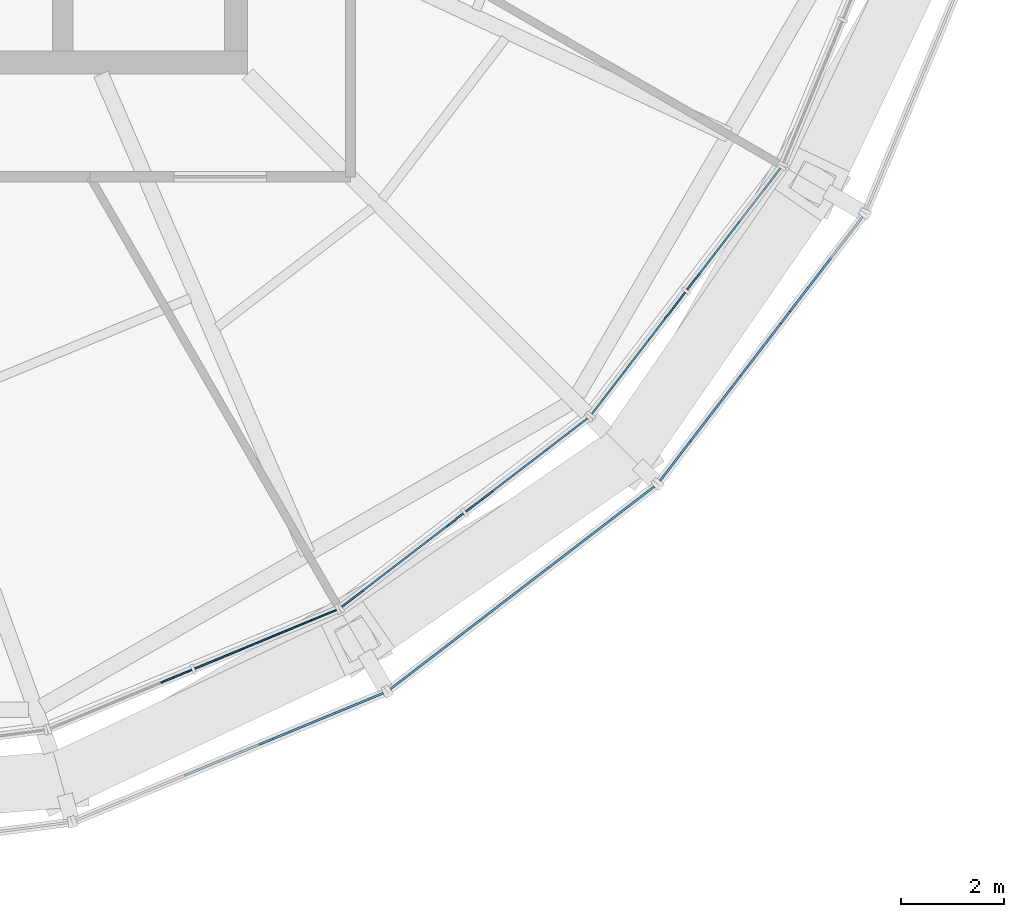
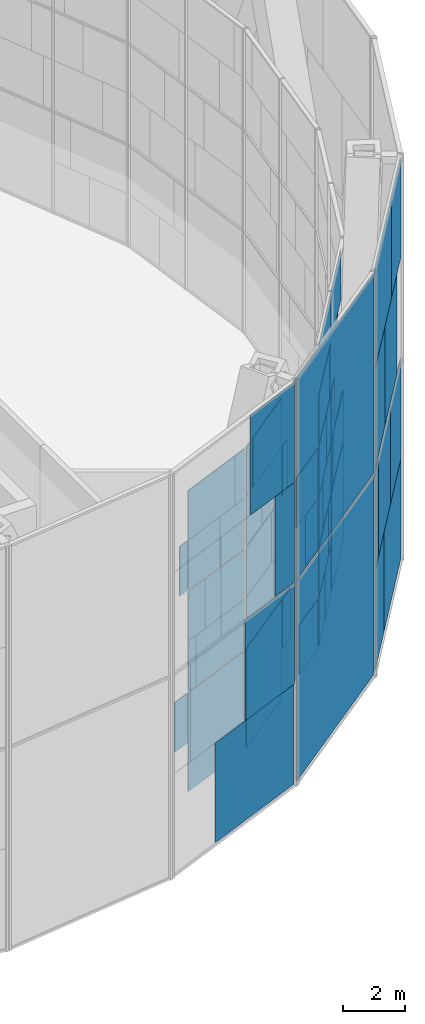
# One storey, part 16 of 26: 63 plates, 6 elements without a shape of their own.
"""IFC4 building model written with IfcOpenShell, lengths in metres."""

from ifc_helpers import new_model, si_unit, direction, frame, origin, origin_2d, place, context, subcontext, project, spatial, rectangle, extrude, material, layer, layer_set, type_object, element, aggregate, save


model = new_model("IFC4")

# Units and contexts
model_context = context("Model", 3, precision=1e-05, world=origin(), true_north=direction((0.0, 1.0)))
body_context = subcontext(model_context, "Body", "Model", "MODEL_VIEW")
ifc_project = project(units=[si_unit("LENGTHUNIT", "METRE"), si_unit("AREAUNIT", "SQUARE_METRE"), si_unit("VOLUMEUNIT", "CUBIC_METRE"), si_unit("PLANEANGLEUNIT", "RADIAN"), si_unit("MASSUNIT", "GRAM", prefix="KILO")], contexts=[model_context])

# Site, building, storey
site_placement = place(None, origin())
site = spatial("IfcSite", under=ifc_project, at=site_placement, CompositionType="ELEMENT")
building_placement = place(site_placement, origin())
building = spatial("IfcBuilding", under=site, at=building_placement, Name="Golbaran Civic Tower", CompositionType="ELEMENT")
storey_placement = place(building_placement, frame((0.0, 0.0, 199.0)))
storey = spatial("IfcBuildingStorey", under=building, at=storey_placement, Name="L48", CompositionType="ELEMENT", Elevation=199.0)

# Curtain wall, plates
ifc_material_1 = material(Name="Aluminium and glass", Category="aluminium")
curtain_wall_type_1 = type_object("IfcCurtainWallType", Name="INNER SKIN CURTAIN WALL EXECUTIVE", PredefinedType="NOTDEFINED", material=ifc_material_1)
curtain_wall_1_placement = place(storey_placement, origin())
curtain_wall_1 = element("IfcCurtainWall", 1, at=curtain_wall_1_placement, inside=storey, type_object=curtain_wall_type_1, Name="Inner skin L48 facet 20 CW2", ObjectType="INNER SKIN", PredefinedType="USERDEFINED")
ifc_material_2 = material(Name="Clear insulating glass", Category="glass")
ifc_layer_1 = layer(ifc_material_2, 0.031982421875, Name="Clear insulating glass")
ifc_layer_set_1 = layer_set([ifc_layer_1], Name="Clear insulating glass")
plate_type_1 = type_object("IfcPlateType", Name="INNER SKIN CURTAIN WALL EXECUTIVE GLAZED PANEL", PredefinedType="CURTAIN_PANEL", material=ifc_layer_set_1)
plate_1_placement = place(storey_placement, frame((8.611572265625, -21.723388671875, 2.014892578125), z_axis=(0.0, 0.0, 1.0), x_axis=(0.923879532518, 0.382683432349, 0.0)))
plate_1 = element("IfcPlate", 2, at=plate_1_placement, type_object=plate_type_1, Name="CW2 panel 1.1 part 4", PredefinedType="CURTAIN_PANEL", context=body_context, shape_type="SweptSolid", body=[
    extrude(rectangle(XDim=0.654052734375, YDim=0.031982421875, at=origin_2d()), origin(), (0.0, 0.0, 1.0), 1.955078125),
])
plate_2_placement = place(storey_placement, frame((10.3486328125, -21.00390625, 0.06005859375), z_axis=(0.0, 0.0, 1.0), x_axis=(0.923879532518, 0.382683432349, 0.0)))
plate_2 = element("IfcPlate", 3, at=plate_2_placement, type_object=plate_type_1, Name="CW2 panel 2.1", PredefinedType="CURTAIN_PANEL", context=body_context, shape_type="SweptSolid", body=[
    extrude(rectangle(XDim=2.986083984375, YDim=0.031982421875, at=origin_2d()), origin(), (0.0, 0.0, 1.0), 3.909912109375),
])
plate_3_placement = place(storey_placement, frame((10.533447265625, -20.927490234375, 4.02978515625), z_axis=(0.0, 0.0, 1.0), x_axis=(0.923879532518, 0.382683432349, 0.0)))
plate_3 = element("IfcPlate", 4, at=plate_3_placement, type_object=plate_type_1, Name="CW2 panel 2.2 part 2", PredefinedType="CURTAIN_PANEL", context=body_context, shape_type="SweptSolid", body=[
    extrude(rectangle(XDim=2.586181640625, YDim=0.031982421875, at=origin_2d()), origin(), (0.0, 0.0, 1.0), 1.969970703125),
])
plate_4_placement = place(storey_placement, frame((10.754638671875, -20.835693359375, 6.0), z_axis=(0.0, 0.0, 1.0), x_axis=(0.923879532518, 0.382683432349, 0.0)))
plate_4 = element("IfcPlate", 5, at=plate_4_placement, type_object=plate_type_1, Name="CW2 panel 2.2 part 4", PredefinedType="CURTAIN_PANEL", context=body_context, shape_type="SweptSolid", body=[
    extrude(rectangle(XDim=2.107177734375, YDim=0.031982421875, at=origin_2d()), origin(), (0.0, 0.0, 1.0), 1.969970703125),
])
plate_5_placement = place(storey_placement, frame((11.125732421875, -20.68212890625, 8.030029296875), z_axis=(0.0, 0.0, 1.0), x_axis=(0.923879532518, 0.382683432349, 0.0)))
plate_5 = element("IfcPlate", 6, at=plate_5_placement, type_object=plate_type_1, Name="CW2 panel 2.3 part 2", PredefinedType="CURTAIN_PANEL", context=body_context, shape_type="SweptSolid", body=[
    extrude(rectangle(XDim=1.30419921875, YDim=0.031982421875, at=origin_2d()), origin(), (0.0, 0.0, 1.0), 1.955078125),
])
plate_6_placement = place(storey_placement, frame((11.485595703125, -20.532958984375, 9.98486328125), z_axis=(0.0, 0.0, 1.0), x_axis=(0.923879532518, 0.382683432349, 0.0)))
plate_6 = element("IfcPlate", 7, at=plate_6_placement, type_object=plate_type_1, Name="CW2 panel 2.3 part 4", PredefinedType="CURTAIN_PANEL", context=body_context, shape_type="SweptSolid", body=[
    extrude(rectangle(XDim=0.525146484375, YDim=0.031982421875, at=origin_2d()), origin(), (0.0, 0.0, 1.0), 1.955078125),
])

curtain_wall_2_placement = place(storey_placement, origin())
curtain_wall_2 = element("IfcCurtainWall", 8, at=curtain_wall_2_placement, inside=storey, type_object=curtain_wall_type_1, Name="Inner skin L48 facet 21 CW2", ObjectType="INNER SKIN", PredefinedType="USERDEFINED")
plate_7_placement = place(storey_placement, frame((13.015625, -19.464111328125, 0.06005859375), z_axis=(0.0, 0.0, 1.0), x_axis=(0.793353340259, 0.60876142905, 0.0)))
plate_7 = element("IfcPlate", 9, at=plate_7_placement, type_object=plate_type_1, Name="CW2 panel 1.1", PredefinedType="CURTAIN_PANEL", context=body_context, shape_type="SweptSolid", body=[
    extrude(rectangle(XDim=2.986083984375, YDim=0.031982421875, at=origin_2d()), origin(), (0.0, 0.0, 1.0), 3.909912109375),
])
plate_8_placement = place(storey_placement, frame((12.8564453125, -19.586181640625, 4.02978515625), z_axis=(0.0, 0.0, 1.0), x_axis=(0.793353340259, 0.60876142905, 0.0)))
plate_8 = element("IfcPlate", 10, at=plate_8_placement, type_object=plate_type_1, Name="CW2 panel 1.2 part 1", PredefinedType="CURTAIN_PANEL", context=body_context, shape_type="SweptSolid", body=[
    extrude(rectangle(XDim=2.5849609375, YDim=0.031982421875, at=origin_2d()), origin(), (0.0, 0.0, 1.0), 1.969970703125),
])
plate_9_placement = place(storey_placement, frame((12.6669921875, -19.731689453125, 6.0), z_axis=(0.0, 0.0, 1.0), x_axis=(0.793353340259, 0.60876142905, 0.0)))
plate_9 = element("IfcPlate", 11, at=plate_9_placement, type_object=plate_type_1, Name="CW2 panel 1.2 part 3", PredefinedType="CURTAIN_PANEL", context=body_context, shape_type="SweptSolid", body=[
    extrude(rectangle(XDim=2.10693359375, YDim=0.031982421875, at=origin_2d()), origin(), (0.0, 0.0, 1.0), 1.969970703125),
])
plate_10_placement = place(storey_placement, frame((12.348388671875, -19.97607421875, 8.030029296875), z_axis=(0.0, 0.0, 1.0), x_axis=(0.793353340259, 0.60876142905, 0.0)))
plate_10 = element("IfcPlate", 12, at=plate_10_placement, type_object=plate_type_1, Name="CW2 panel 1.3 part 1", PredefinedType="CURTAIN_PANEL", context=body_context, shape_type="SweptSolid", body=[
    extrude(rectangle(XDim=1.303955078125, YDim=0.031982421875, at=origin_2d()), origin(), (0.0, 0.0, 1.0), 1.955078125),
])
plate_11_placement = place(storey_placement, frame((12.039306640625, -20.21337890625, 9.98486328125), z_axis=(0.0, 0.0, 1.0), x_axis=(0.793353340259, 0.60876142905, 0.0)))
plate_11 = element("IfcPlate", 13, at=plate_11_placement, type_object=plate_type_1, Name="CW2 panel 1.3 part 3", PredefinedType="CURTAIN_PANEL", context=body_context, shape_type="SweptSolid", body=[
    extrude(rectangle(XDim=0.52490234375, YDim=0.031982421875, at=origin_2d()), origin(), (0.0, 0.0, 1.0), 1.955078125),
])
plate_12_placement = place(storey_placement, frame((14.816162109375, -18.08251953125, 0.06005859375), z_axis=(0.0, 0.0, 1.0), x_axis=(0.793353340259, 0.60876142905, 0.0)))
plate_12 = element("IfcPlate", 14, at=plate_12_placement, type_object=plate_type_1, Name="CW2 panel 2.1 part 1", PredefinedType="CURTAIN_PANEL", context=body_context, shape_type="SweptSolid", body=[
    extrude(rectangle(XDim=1.43310546875, YDim=0.031982421875, at=origin_2d()), origin(), (0.0, 0.0, 1.0), 1.955078125),
])
plate_13_placement = place(storey_placement, frame((14.507080078125, -18.319580078125, 2.014892578125), z_axis=(0.0, 0.0, 1.0), x_axis=(0.793353340259, 0.60876142905, 0.0)))
plate_13 = element("IfcPlate", 15, at=plate_13_placement, type_object=plate_type_1, Name="CW2 panel 2.1 part 3", PredefinedType="CURTAIN_PANEL", context=body_context, shape_type="SweptSolid", body=[
    extrude(rectangle(XDim=0.654052734375, YDim=0.031982421875, at=origin_2d()), origin(), (0.0, 0.0, 1.0), 1.955078125),
])
plate_14_placement = place(storey_placement, frame((16.205322265625, -17.0166015625, 4.02978515625), z_axis=(0.0, 0.0, 1.0), x_axis=(0.793353340259, 0.60876142905, 0.0)))
plate_14 = element("IfcPlate", 16, at=plate_14_placement, type_object=plate_type_1, Name="CW2 panel 2.2 part 2", PredefinedType="CURTAIN_PANEL", context=body_context, shape_type="SweptSolid", body=[
    extrude(rectangle(XDim=1.037109375, YDim=0.031982421875, at=origin_2d()), origin(), (0.0, 0.0, 1.0), 1.969970703125),
])
plate_15_placement = place(storey_placement, frame((15.89404296875, -17.255615234375, 6.0), z_axis=(0.0, 0.0, 1.0), x_axis=(0.793353340259, 0.60876142905, 0.0)))
plate_15 = element("IfcPlate", 17, at=plate_15_placement, type_object=plate_type_1, Name="CW2 panel 2.2 part 4", PredefinedType="CURTAIN_PANEL", context=body_context, shape_type="SweptSolid", body=[
    extrude(rectangle(XDim=1.822021484375, YDim=0.031982421875, at=origin_2d()), origin(), (0.0, 0.0, 1.0), 1.969970703125),
])
plate_16_placement = place(storey_placement, frame((15.5908203125, -17.488037109375, 8.030029296875), z_axis=(0.0, 0.0, 1.0), x_axis=(0.793353340259, 0.60876142905, 0.0)))
plate_16 = element("IfcPlate", 18, at=plate_16_placement, type_object=plate_type_1, Name="CW2 panel 2.3 part 2", PredefinedType="CURTAIN_PANEL", context=body_context, shape_type="SweptSolid", body=[
    extrude(rectangle(XDim=2.586181640625, YDim=0.031982421875, at=origin_2d()), origin(), (0.0, 0.0, 1.0), 1.955078125),
])
plate_17_placement = place(storey_placement, frame((15.432373046875, -17.60986328125, 9.98486328125), z_axis=(0.0, 0.0, 1.0), x_axis=(0.793353340259, 0.60876142905, 0.0)))
plate_17 = element("IfcPlate", 19, at=plate_17_placement, type_object=plate_type_1, Name="CW2 panel 2.3 part 3", PredefinedType="CURTAIN_PANEL", context=body_context, shape_type="SweptSolid", body=[
    extrude(rectangle(XDim=2.986083984375, YDim=0.031982421875, at=origin_2d()), origin(), (0.0, 0.0, 1.0), 1.955078125),
])

curtain_wall_3_placement = place(storey_placement, origin())
curtain_wall_3 = element("IfcCurtainWall", 20, at=curtain_wall_3_placement, inside=storey, type_object=curtain_wall_type_1, Name="Inner skin L48 facet 22 CW2", ObjectType="INNER SKIN", PredefinedType="USERDEFINED")
plate_18_placement = place(storey_placement, frame((18.08251953125, -14.816162109375, 0.06005859375), z_axis=(0.0, 0.0, 1.0), x_axis=(0.60876142905, 0.793353340259, 0.0)))
plate_18 = element("IfcPlate", 21, at=plate_18_placement, type_object=plate_type_1, Name="CW2 panel 1.1 part 2", PredefinedType="CURTAIN_PANEL", context=body_context, shape_type="SweptSolid", body=[
    extrude(rectangle(XDim=1.43310546875, YDim=0.031982421875, at=origin_2d()), origin(), (0.0, 0.0, 1.0), 1.955078125),
])
plate_19_placement = place(storey_placement, frame((18.319580078125, -14.50732421875, 2.014892578125), z_axis=(0.0, 0.0, 1.0), x_axis=(0.60876142905, 0.793353340259, 0.0)))
plate_19 = element("IfcPlate", 22, at=plate_19_placement, type_object=plate_type_1, Name="CW2 panel 1.1 part 4", PredefinedType="CURTAIN_PANEL", context=body_context, shape_type="SweptSolid", body=[
    extrude(rectangle(XDim=0.654052734375, YDim=0.031982421875, at=origin_2d()), origin(), (0.0, 0.0, 1.0), 1.955078125),
])
plate_20_placement = place(storey_placement, frame((17.0166015625, -16.205322265625, 4.02978515625), z_axis=(0.0, 0.0, 1.0), x_axis=(0.60876142905, 0.793353340259, 0.0)))
plate_20 = element("IfcPlate", 23, at=plate_20_placement, type_object=plate_type_1, Name="CW2 panel 1.2 part 1", PredefinedType="CURTAIN_PANEL", context=body_context, shape_type="SweptSolid", body=[
    extrude(rectangle(XDim=1.037109375, YDim=0.031982421875, at=origin_2d()), origin(), (0.0, 0.0, 1.0), 1.969970703125),
])
plate_21_placement = place(storey_placement, frame((17.25537109375, -15.89404296875, 6.0), z_axis=(0.0, 0.0, 1.0), x_axis=(0.60876142905, 0.793353340259, 0.0)))
plate_21 = element("IfcPlate", 24, at=plate_21_placement, type_object=plate_type_1, Name="CW2 panel 1.2 part 3", PredefinedType="CURTAIN_PANEL", context=body_context, shape_type="SweptSolid", body=[
    extrude(rectangle(XDim=1.822021484375, YDim=0.031982421875, at=origin_2d()), origin(), (0.0, 0.0, 1.0), 1.969970703125),
])
plate_22_placement = place(storey_placement, frame((17.48779296875, -15.59130859375, 8.030029296875), z_axis=(0.0, 0.0, 1.0), x_axis=(0.60876142905, 0.793353340259, 0.0)))
plate_22 = element("IfcPlate", 25, at=plate_22_placement, type_object=plate_type_1, Name="CW2 panel 1.3 part 1", PredefinedType="CURTAIN_PANEL", context=body_context, shape_type="SweptSolid", body=[
    extrude(rectangle(XDim=2.5849609375, YDim=0.031982421875, at=origin_2d()), origin(), (0.0, 0.0, 1.0), 1.955078125),
])
plate_23_placement = place(storey_placement, frame((17.60986328125, -15.432373046875, 9.98486328125), z_axis=(0.0, 0.0, 1.0), x_axis=(0.60876142905, 0.793353340259, 0.0)))
plate_23 = element("IfcPlate", 26, at=plate_23_placement, type_object=plate_type_1, Name="CW2 panel 1.3 part 3", PredefinedType="CURTAIN_PANEL", context=body_context, shape_type="SweptSolid", body=[
    extrude(rectangle(XDim=2.986083984375, YDim=0.031982421875, at=origin_2d()), origin(), (0.0, 0.0, 1.0), 1.955078125),
])
plate_24_placement = place(storey_placement, frame((19.464111328125, -13.015625, 0.06005859375), z_axis=(0.0, 0.0, 1.0), x_axis=(0.60876142905, 0.793353340259, 0.0)))
plate_24 = element("IfcPlate", 27, at=plate_24_placement, type_object=plate_type_1, Name="CW2 panel 2.1", PredefinedType="CURTAIN_PANEL", context=body_context, shape_type="SweptSolid", body=[
    extrude(rectangle(XDim=2.986083984375, YDim=0.031982421875, at=origin_2d()), origin(), (0.0, 0.0, 1.0), 3.909912109375),
])
plate_25_placement = place(storey_placement, frame((19.5859375, -12.85693359375, 4.02978515625), z_axis=(0.0, 0.0, 1.0), x_axis=(0.60876142905, 0.793353340259, 0.0)))
plate_25 = element("IfcPlate", 28, at=plate_25_placement, type_object=plate_type_1, Name="CW2 panel 2.2 part 2", PredefinedType="CURTAIN_PANEL", context=body_context, shape_type="SweptSolid", body=[
    extrude(rectangle(XDim=2.586181640625, YDim=0.031982421875, at=origin_2d()), origin(), (0.0, 0.0, 1.0), 1.969970703125),
])

# Plate
ifc_material_3 = material(Name="Aluminium faced opaque infill panel", Category="aluminium")
ifc_layer_2 = layer(ifc_material_3, 0.031982421875, Name="Aluminium faced opaque infill panel")
ifc_layer_set_2 = layer_set([ifc_layer_2], Name="Aluminium faced opaque infill panel")
plate_type_2 = type_object("IfcPlateType", Name="INNER SKIN CURTAIN WALL EXECUTIVE OPAQUE INFILL PANEL", PredefinedType="CURTAIN_PANEL", material=ifc_layer_set_2)
plate_26_placement = place(storey_placement, frame((8.728515625, -21.675048828125, 8.030029296875), z_axis=(0.0, 0.0, 1.0), x_axis=(0.923879532518, 0.382683432349, 0.0)))
plate_26 = element("IfcPlate", 29, at=plate_26_placement, type_object=plate_type_2, Name="CW2 infill panel 1.3 part 2", PredefinedType="CURTAIN_PANEL", context=body_context, shape_type="SweptSolid", body=[
    extrude(rectangle(XDim=0.401123046875, YDim=0.031982421875, at=origin_2d()), origin(), (0.0, 0.0, 1.0), 1.955078125),
])

plate_27_placement = place(storey_placement, frame((9.154052734375, -21.498779296875, 4.02978515625), z_axis=(0.0, 0.0, 1.0), x_axis=(0.923879532518, 0.382683432349, 0.0)))
plate_27 = element("IfcPlate", 30, at=plate_27_placement, type_object=plate_type_2, Name="CW2 infill panel 2.2 part 1", PredefinedType="CURTAIN_PANEL", context=body_context, shape_type="SweptSolid", body=[
    extrude(rectangle(XDim=0.39990234375, YDim=0.031982421875, at=origin_2d()), origin(), (0.0, 0.0, 1.0), 1.969970703125),
])

plate_28_placement = place(storey_placement, frame((9.375244140625, -21.4072265625, 6.0), z_axis=(0.0, 0.0, 1.0), x_axis=(0.923879532518, 0.382683432349, 0.0)))
plate_28 = element("IfcPlate", 31, at=plate_28_placement, type_object=plate_type_2, Name="CW2 infill panel 2.2 part 3", PredefinedType="CURTAIN_PANEL", context=body_context, shape_type="SweptSolid", body=[
    extrude(rectangle(XDim=0.87890625, YDim=0.031982421875, at=origin_2d()), origin(), (0.0, 0.0, 1.0), 1.969970703125),
])

plate_29_placement = place(storey_placement, frame((9.746337890625, -21.25341796875, 8.030029296875), z_axis=(0.0, 0.0, 1.0), x_axis=(0.923879532518, 0.382683432349, 0.0)))
plate_29 = element("IfcPlate", 32, at=plate_29_placement, type_object=plate_type_2, Name="CW2 infill panel 2.3 part 1", PredefinedType="CURTAIN_PANEL", context=body_context, shape_type="SweptSolid", body=[
    extrude(rectangle(XDim=1.681884765625, YDim=0.031982421875, at=origin_2d()), origin(), (0.0, 0.0, 1.0), 1.955078125),
])

plate_30_placement = place(storey_placement, frame((10.106201171875, -21.1044921875, 9.98486328125), z_axis=(0.0, 0.0, 1.0), x_axis=(0.923879532518, 0.382683432349, 0.0)))
plate_30 = element("IfcPlate", 33, at=plate_30_placement, type_object=plate_type_2, Name="CW2 infill panel 2.3 part 3", PredefinedType="CURTAIN_PANEL", context=body_context, shape_type="SweptSolid", body=[
    extrude(rectangle(XDim=2.4609375, YDim=0.031982421875, at=origin_2d()), origin(), (0.0, 0.0, 1.0), 1.955078125),
])

aggregate(curtain_wall_1, [plate_1, plate_26, plate_2, plate_27, plate_3, plate_28, plate_4, plate_29, plate_5, plate_30, plate_6])

plate_31_placement = place(storey_placement, frame((14.041015625, -18.67724609375, 4.02978515625), z_axis=(0.0, 0.0, 1.0), x_axis=(0.793353340259, 0.60876142905, 0.0)))
plate_31 = element("IfcPlate", 34, at=plate_31_placement, type_object=plate_type_2, Name="CW2 infill panel 1.2 part 2", PredefinedType="CURTAIN_PANEL", context=body_context, shape_type="SweptSolid", body=[
    extrude(rectangle(XDim=0.401123046875, YDim=0.031982421875, at=origin_2d()), origin(), (0.0, 0.0, 1.0), 1.969970703125),
])

plate_32_placement = place(storey_placement, frame((13.851318359375, -18.82275390625, 6.0), z_axis=(0.0, 0.0, 1.0), x_axis=(0.793353340259, 0.60876142905, 0.0)))
plate_32 = element("IfcPlate", 35, at=plate_32_placement, type_object=plate_type_2, Name="CW2 infill panel 1.2 part 4", PredefinedType="CURTAIN_PANEL", context=body_context, shape_type="SweptSolid", body=[
    extrude(rectangle(XDim=0.879150390625, YDim=0.031982421875, at=origin_2d()), origin(), (0.0, 0.0, 1.0), 1.969970703125),
])

plate_33_placement = place(storey_placement, frame((13.532958984375, -19.0673828125, 8.030029296875), z_axis=(0.0, 0.0, 1.0), x_axis=(0.793353340259, 0.60876142905, 0.0)))
plate_33 = element("IfcPlate", 36, at=plate_33_placement, type_object=plate_type_2, Name="CW2 infill panel 1.3 part 2", PredefinedType="CURTAIN_PANEL", context=body_context, shape_type="SweptSolid", body=[
    extrude(rectangle(XDim=1.68212890625, YDim=0.031982421875, at=origin_2d()), origin(), (0.0, 0.0, 1.0), 1.955078125),
])

plate_34_placement = place(storey_placement, frame((13.223876953125, -19.304443359375, 9.98486328125), z_axis=(0.0, 0.0, 1.0), x_axis=(0.793353340259, 0.60876142905, 0.0)))
plate_34 = element("IfcPlate", 37, at=plate_34_placement, type_object=plate_type_2, Name="CW2 infill panel 1.3 part 4", PredefinedType="CURTAIN_PANEL", context=body_context, shape_type="SweptSolid", body=[
    extrude(rectangle(XDim=2.461181640625, YDim=0.031982421875, at=origin_2d()), origin(), (0.0, 0.0, 1.0), 1.955078125),
])

plate_35_placement = place(storey_placement, frame((16.000732421875, -17.173583984375, 0.06005859375), z_axis=(0.0, 0.0, 1.0), x_axis=(0.793353340259, 0.60876142905, 0.0)))
plate_35 = element("IfcPlate", 38, at=plate_35_placement, type_object=plate_type_2, Name="CW2 infill panel 2.1 part 2", PredefinedType="CURTAIN_PANEL", context=body_context, shape_type="SweptSolid", body=[
    extrude(rectangle(XDim=1.55322265625, YDim=0.031982421875, at=origin_2d()), origin(), (0.0, 0.0, 1.0), 1.955078125),
])

plate_36_placement = place(storey_placement, frame((15.691650390625, -17.41064453125, 2.014892578125), z_axis=(0.0, 0.0, 1.0), x_axis=(0.793353340259, 0.60876142905, 0.0)))
plate_36 = element("IfcPlate", 39, at=plate_36_placement, type_object=plate_type_2, Name="CW2 infill panel 2.1 part 4", PredefinedType="CURTAIN_PANEL", context=body_context, shape_type="SweptSolid", body=[
    extrude(rectangle(XDim=2.33203125, YDim=0.031982421875, at=origin_2d()), origin(), (0.0, 0.0, 1.0), 1.955078125),
])

plate_37_placement = place(storey_placement, frame((15.020751953125, -17.925537109375, 4.02978515625), z_axis=(0.0, 0.0, 1.0), x_axis=(0.793353340259, 0.60876142905, 0.0)))
plate_37 = element("IfcPlate", 40, at=plate_37_placement, type_object=plate_type_2, Name="CW2 infill panel 2.2 part 1", PredefinedType="CURTAIN_PANEL", context=body_context, shape_type="SweptSolid", body=[
    extrude(rectangle(XDim=1.948974609375, YDim=0.031982421875, at=origin_2d()), origin(), (0.0, 0.0, 1.0), 1.969970703125),
])

plate_38_placement = place(storey_placement, frame((14.70947265625, -18.16455078125, 6.0), z_axis=(0.0, 0.0, 1.0), x_axis=(0.793353340259, 0.60876142905, 0.0)))
plate_38 = element("IfcPlate", 41, at=plate_38_placement, type_object=plate_type_2, Name="CW2 infill panel 2.2 part 3", PredefinedType="CURTAIN_PANEL", context=body_context, shape_type="SweptSolid", body=[
    extrude(rectangle(XDim=1.1640625, YDim=0.031982421875, at=origin_2d()), origin(), (0.0, 0.0, 1.0), 1.969970703125),
])

plate_39_placement = place(storey_placement, frame((14.406494140625, -18.39697265625, 8.030029296875), z_axis=(0.0, 0.0, 1.0), x_axis=(0.793353340259, 0.60876142905, 0.0)))
plate_39 = element("IfcPlate", 42, at=plate_39_placement, type_object=plate_type_2, Name="CW2 infill panel 2.3 part 1", PredefinedType="CURTAIN_PANEL", context=body_context, shape_type="SweptSolid", body=[
    extrude(rectangle(XDim=0.39990234375, YDim=0.031982421875, at=origin_2d()), origin(), (0.0, 0.0, 1.0), 1.955078125),
])

aggregate(curtain_wall_2, [plate_7, plate_8, plate_31, plate_9, plate_32, plate_10, plate_33, plate_11, plate_34, plate_12, plate_35, plate_13, plate_36, plate_37, plate_14, plate_38, plate_15, plate_39, plate_16, plate_17])

plate_40_placement = place(storey_placement, frame((17.173583984375, -16.000732421875, 0.06005859375), z_axis=(0.0, 0.0, 1.0), x_axis=(0.60876142905, 0.793353340259, 0.0)))
plate_40 = element("IfcPlate", 43, at=plate_40_placement, type_object=plate_type_2, Name="CW2 infill panel 1.1 part 1", PredefinedType="CURTAIN_PANEL", context=body_context, shape_type="SweptSolid", body=[
    extrude(rectangle(XDim=1.552978515625, YDim=0.031982421875, at=origin_2d()), origin(), (0.0, 0.0, 1.0), 1.955078125),
])

plate_41_placement = place(storey_placement, frame((17.41064453125, -15.691650390625, 2.014892578125), z_axis=(0.0, 0.0, 1.0), x_axis=(0.60876142905, 0.793353340259, 0.0)))
plate_41 = element("IfcPlate", 44, at=plate_41_placement, type_object=plate_type_2, Name="CW2 infill panel 1.1 part 3", PredefinedType="CURTAIN_PANEL", context=body_context, shape_type="SweptSolid", body=[
    extrude(rectangle(XDim=2.33203125, YDim=0.031982421875, at=origin_2d()), origin(), (0.0, 0.0, 1.0), 1.955078125),
])

plate_42_placement = place(storey_placement, frame((17.925537109375, -15.02099609375, 4.02978515625), z_axis=(0.0, 0.0, 1.0), x_axis=(0.60876142905, 0.793353340259, 0.0)))
plate_42 = element("IfcPlate", 45, at=plate_42_placement, type_object=plate_type_2, Name="CW2 infill panel 1.2 part 2", PredefinedType="CURTAIN_PANEL", context=body_context, shape_type="SweptSolid", body=[
    extrude(rectangle(XDim=1.94921875, YDim=0.031982421875, at=origin_2d()), origin(), (0.0, 0.0, 1.0), 1.969970703125),
])

plate_43_placement = place(storey_placement, frame((18.164306640625, -14.70947265625, 6.0), z_axis=(0.0, 0.0, 1.0), x_axis=(0.60876142905, 0.793353340259, 0.0)))
plate_43 = element("IfcPlate", 46, at=plate_43_placement, type_object=plate_type_2, Name="CW2 infill panel 1.2 part 4", PredefinedType="CURTAIN_PANEL", context=body_context, shape_type="SweptSolid", body=[
    extrude(rectangle(XDim=1.1640625, YDim=0.031982421875, at=origin_2d()), origin(), (0.0, 0.0, 1.0), 1.969970703125),
])

plate_44_placement = place(storey_placement, frame((18.396728515625, -14.40673828125, 8.030029296875), z_axis=(0.0, 0.0, 1.0), x_axis=(0.60876142905, 0.793353340259, 0.0)))
plate_44 = element("IfcPlate", 47, at=plate_44_placement, type_object=plate_type_2, Name="CW2 infill panel 1.3 part 2", PredefinedType="CURTAIN_PANEL", context=body_context, shape_type="SweptSolid", body=[
    extrude(rectangle(XDim=0.401123046875, YDim=0.031982421875, at=origin_2d()), origin(), (0.0, 0.0, 1.0), 1.955078125),
])

plate_45_placement = place(storey_placement, frame((18.677001953125, -14.04150390625, 4.02978515625), z_axis=(0.0, 0.0, 1.0), x_axis=(0.60876142905, 0.793353340259, 0.0)))
plate_45 = element("IfcPlate", 48, at=plate_45_placement, type_object=plate_type_2, Name="CW2 infill panel 2.2 part 1", PredefinedType="CURTAIN_PANEL", context=body_context, shape_type="SweptSolid", body=[
    extrude(rectangle(XDim=0.39990234375, YDim=0.031982421875, at=origin_2d()), origin(), (0.0, 0.0, 1.0), 1.969970703125),
])

plate_46_placement = place(storey_placement, frame((18.82275390625, -13.8515625, 6.0), z_axis=(0.0, 0.0, 1.0), x_axis=(0.60876142905, 0.793353340259, 0.0)))
plate_46 = element("IfcPlate", 49, at=plate_46_placement, type_object=plate_type_2, Name="CW2 infill panel 2.2 part 3", PredefinedType="CURTAIN_PANEL", context=body_context, shape_type="SweptSolid", body=[
    extrude(rectangle(XDim=0.87890625, YDim=0.031982421875, at=origin_2d()), origin(), (0.0, 0.0, 1.0), 1.969970703125),
])

plate_47_placement = place(storey_placement, frame((19.067138671875, -13.532958984375, 8.030029296875), z_axis=(0.0, 0.0, 1.0), x_axis=(0.60876142905, 0.793353340259, 0.0)))
plate_47 = element("IfcPlate", 50, at=plate_47_placement, type_object=plate_type_2, Name="CW2 infill panel 2.3 part 1", PredefinedType="CURTAIN_PANEL", context=body_context, shape_type="SweptSolid", body=[
    extrude(rectangle(XDim=1.681884765625, YDim=0.031982421875, at=origin_2d()), origin(), (0.0, 0.0, 1.0), 1.955078125),
])

plate_48_placement = place(storey_placement, frame((19.304443359375, -13.223876953125, 9.98486328125), z_axis=(0.0, 0.0, 1.0), x_axis=(0.60876142905, 0.793353340259, 0.0)))
plate_48 = element("IfcPlate", 51, at=plate_48_placement, type_object=plate_type_2, Name="CW2 infill panel 2.3 part 3", PredefinedType="CURTAIN_PANEL", context=body_context, shape_type="SweptSolid", body=[
    extrude(rectangle(XDim=2.4609375, YDim=0.031982421875, at=origin_2d()), origin(), (0.0, 0.0, 1.0), 1.955078125),
])

aggregate(curtain_wall_3, [plate_40, plate_18, plate_41, plate_19, plate_20, plate_42, plate_21, plate_43, plate_22, plate_44, plate_23, plate_24, plate_45, plate_25, plate_46, plate_47, plate_48])

# Curtain wall, plates
curtain_wall_type_2 = type_object("IfcCurtainWallType", Name="OUTER SKIN TERRACOTTA SCREEN", PredefinedType="NOTDEFINED", material=ifc_material_1)
curtain_wall_4_placement = place(storey_placement, origin())
curtain_wall_4 = element("IfcCurtainWall", 52, at=curtain_wall_4_placement, inside=storey, type_object=curtain_wall_type_2, Name="Outer skin L48 facet 20 CW3", ObjectType="OUTER SKIN", PredefinedType="USERDEFINED")
ifc_material_4 = material(Name="Clear laminated glass", Category="glass")
ifc_layer_3 = layer(ifc_material_4, 0.0400390625, Name="Clear laminated glass")
ifc_layer_set_3 = layer_set([ifc_layer_3], Name="Clear laminated glass")
plate_type_3 = type_object("IfcPlateType", Name="OUTER SKIN CLEAR GLASS PANEL", PredefinedType="CURTAIN_PANEL", material=ifc_layer_set_3)
plate_49_placement = place(storey_placement, frame((10.706298828125, -22.852783203125, -0.6298828125), z_axis=(0.0, 0.0, 1.0), x_axis=(0.923879532478, 0.382683432446, 0.0)))
plate_49 = element("IfcPlate", 53, at=plate_49_placement, type_object=plate_type_3, Name="CW3 panel 1.1 part 2", PredefinedType="CURTAIN_PANEL", context=body_context, shape_type="SweptSolid", body=[
    extrude(rectangle(XDim=4.18603515625, YDim=0.0400390625, at=origin_2d()), origin(), (0.0, 0.0, 1.0), 3.93994140625),
])
plate_50_placement = place(storey_placement, frame((11.43115234375, -22.552734375, 3.31005859375), z_axis=(0.0, 0.0, 1.0), x_axis=(0.923879532478, 0.382683432446, 0.0)))
plate_50 = element("IfcPlate", 54, at=plate_50_placement, type_object=plate_type_3, Name="CW3 panel 1.1 part 5", PredefinedType="CURTAIN_PANEL", context=body_context, shape_type="SweptSolid", body=[
    extrude(rectangle(XDim=2.616943359375, YDim=0.0400390625, at=origin_2d()), origin(), (0.0, 0.0, 1.0), 3.93994140625),
])
plate_51_placement = place(storey_placement, frame((12.171142578125, -22.24609375, 7.330078125), z_axis=(0.0, 0.0, 1.0), x_axis=(0.923879532478, 0.382683432446, 0.0)))
plate_51 = element("IfcPlate", 55, at=plate_51_placement, type_object=plate_type_3, Name="CW3 panel 1.2 part 3", PredefinedType="CURTAIN_PANEL", context=body_context, shape_type="SweptSolid", body=[
    extrude(rectangle(XDim=1.01513671875, YDim=0.0400390625, at=origin_2d()), origin(), (0.0, 0.0, 1.0), 3.93994140625),
])

curtain_wall_5_placement = place(storey_placement, origin())
curtain_wall_5 = element("IfcCurtainWall", 56, at=curtain_wall_5_placement, inside=storey, type_object=curtain_wall_type_2, Name="Outer skin L48 facet 22 CW3", ObjectType="OUTER SKIN", PredefinedType="USERDEFINED")
plate_52_placement = place(storey_placement, frame((20.698486328125, -14.43798828125, -0.6298828125), z_axis=(0.0, 0.0, 1.0), x_axis=(0.608761428967, 0.793353340323, 0.0)))
plate_52 = element("IfcPlate", 57, at=plate_52_placement, type_object=plate_type_3, Name="CW3 panel 1.1 part 2", PredefinedType="CURTAIN_PANEL", context=body_context, shape_type="SweptSolid", body=[
    extrude(rectangle(XDim=4.18603515625, YDim=0.0400390625, at=origin_2d()), origin(), (0.0, 0.0, 1.0), 3.93994140625),
])
plate_53_placement = place(storey_placement, frame((18.3251953125, -17.53076171875, 3.31005859375), z_axis=(0.0, 0.0, 1.0), x_axis=(0.608761428967, 0.793353340323, 0.0)))
plate_53 = element("IfcPlate", 58, at=plate_53_placement, type_object=plate_type_3, Name="CW3 panel 1.1 part 3", PredefinedType="CURTAIN_PANEL", context=body_context, shape_type="SweptSolid", body=[
    extrude(rectangle(XDim=0.972900390625, YDim=0.0400390625, at=origin_2d()), origin(), (0.0, 0.0, 1.0), 3.93994140625),
])
plate_54_placement = place(storey_placement, frame((21.176025390625, -13.815673828125, 3.31005859375), z_axis=(0.0, 0.0, 1.0), x_axis=(0.608761428967, 0.793353340323, 0.0)))
plate_54 = element("IfcPlate", 59, at=plate_54_placement, type_object=plate_type_3, Name="CW3 panel 1.1 part 5", PredefinedType="CURTAIN_PANEL", context=body_context, shape_type="SweptSolid", body=[
    extrude(rectangle(XDim=2.616943359375, YDim=0.0400390625, at=origin_2d()), origin(), (0.0, 0.0, 1.0), 3.93994140625),
])
plate_55_placement = place(storey_placement, frame((18.81298828125, -16.89501953125, 7.330078125), z_axis=(0.0, 0.0, 1.0), x_axis=(0.608761428967, 0.793353340323, 0.0)))
plate_55 = element("IfcPlate", 60, at=plate_55_placement, type_object=plate_type_3, Name="CW3 panel 1.2 part 1", PredefinedType="CURTAIN_PANEL", context=body_context, shape_type="SweptSolid", body=[
    extrude(rectangle(XDim=2.575927734375, YDim=0.0400390625, at=origin_2d()), origin(), (0.0, 0.0, 1.0), 3.93994140625),
])
plate_56_placement = place(storey_placement, frame((19.2919921875, -16.27099609375, 11.27001953125), z_axis=(0.0, 0.0, 1.0), x_axis=(0.608761428967, 0.793353340323, 0.0)))
plate_56 = element("IfcPlate", 61, at=plate_56_placement, type_object=plate_type_3, Name="CW3 panel 1.2 part 4", PredefinedType="CURTAIN_PANEL", context=body_context, shape_type="SweptSolid", body=[
    extrude(rectangle(XDim=4.14892578125, YDim=0.0400390625, at=origin_2d()), origin(), (0.0, 0.0, 1.0), 3.93994140625),
])

# Plate
ifc_material_5 = material(Name="Terracotta baguette screen", Category="masonry")
ifc_layer_4 = layer(ifc_material_5, 0.0400390625, Name="Terracotta baguette screen")
ifc_layer_set_4 = layer_set([ifc_layer_4], Name="Terracotta baguette screen")
plate_type_4 = type_object("IfcPlateType", Name="OUTER SKIN TERRACOTTA INFILL PANEL", PredefinedType="CURTAIN_PANEL", material=ifc_layer_set_4)
plate_57_placement = place(storey_placement, frame((11.564208984375, -22.49755859375, 11.27001953125), z_axis=(0.0, 0.0, 1.0), x_axis=(0.923879532478, 0.382683432446, 0.0)))
plate_57 = element("IfcPlate", 62, at=plate_57_placement, type_object=plate_type_4, Name="CW3 infill panel 1.2 part 5", PredefinedType="CURTAIN_PANEL", context=body_context, shape_type="SweptSolid", body=[
    extrude(rectangle(XDim=2.3291015625, YDim=0.0400390625, at=origin_2d()), origin(), (0.0, 0.0, 1.0), 3.93994140625),
])

aggregate(curtain_wall_4, [plate_49, plate_50, plate_51, plate_57])

plate_58_placement = place(storey_placement, frame((18.7265625, -17.007568359375, -0.6298828125), z_axis=(0.0, 0.0, 1.0), x_axis=(0.608761428967, 0.793353340323, 0.0)))
plate_58 = element("IfcPlate", 63, at=plate_58_placement, type_object=plate_type_4, Name="CW3 infill panel 1.1 part 1", PredefinedType="CURTAIN_PANEL", context=body_context, shape_type="SweptSolid", body=[
    extrude(rectangle(XDim=2.2919921875, YDim=0.0400390625, at=origin_2d()), origin(), (0.0, 0.0, 1.0), 3.93994140625),
])

plate_59_placement = place(storey_placement, frame((19.50048828125, -15.999267578125, 3.31005859375), z_axis=(0.0, 0.0, 1.0), x_axis=(0.608761428967, 0.793353340323, 0.0)))
plate_59 = element("IfcPlate", 64, at=plate_59_placement, type_object=plate_type_4, Name="CW3 infill panel 1.1 part 4", PredefinedType="CURTAIN_PANEL", context=body_context, shape_type="SweptSolid", body=[
    extrude(rectangle(XDim=2.887939453125, YDim=0.0400390625, at=origin_2d()), origin(), (0.0, 0.0, 1.0), 3.93994140625),
])

plate_60_placement = place(storey_placement, frame((20.475830078125, -14.72802734375, 7.330078125), z_axis=(0.0, 0.0, 1.0), x_axis=(0.608761428967, 0.793353340323, 0.0)))
plate_60 = element("IfcPlate", 65, at=plate_60_placement, type_object=plate_type_4, Name="CW3 infill panel 1.2 part 2", PredefinedType="CURTAIN_PANEL", context=body_context, shape_type="SweptSolid", body=[
    extrude(rectangle(XDim=2.886962890625, YDim=0.0400390625, at=origin_2d()), origin(), (0.0, 0.0, 1.0), 3.93994140625),
])

plate_61_placement = place(storey_placement, frame((21.263671875, -13.701416015625, 11.27001953125), z_axis=(0.0, 0.0, 1.0), x_axis=(0.608761428967, 0.793353340323, 0.0)))
plate_61 = element("IfcPlate", 66, at=plate_61_placement, type_object=plate_type_4, Name="CW3 infill panel 1.2 part 5", PredefinedType="CURTAIN_PANEL", context=body_context, shape_type="SweptSolid", body=[
    extrude(rectangle(XDim=2.3291015625, YDim=0.0400390625, at=origin_2d()), origin(), (0.0, 0.0, 1.0), 3.93994140625),
])

aggregate(curtain_wall_5, [plate_58, plate_52, plate_53, plate_59, plate_54, plate_55, plate_60, plate_56, plate_61])

# Curtain wall, plates
curtain_wall_6_placement = place(storey_placement, origin())
curtain_wall_6 = element("IfcCurtainWall", 67, at=curtain_wall_6_placement, inside=storey, type_object=curtain_wall_type_2, Name="Outer skin L48 facet 21 CW3", ObjectType="OUTER SKIN", PredefinedType="USERDEFINED")
ifc_layer_5 = layer(ifc_material_5, 0.0400390625, Name="Terracotta baguette screen")
ifc_layer_set_5 = layer_set([ifc_layer_5], Name="Terracotta baguette screen")
plate_type_5 = type_object("IfcPlateType", Name="OUTER SKIN TERRACOTTA SCREEN PANEL", PredefinedType="CURTAIN_PANEL", material=ifc_layer_set_5)
plate_62_placement = place(storey_placement, frame((15.34716796875, -20.000732421875, -0.6298828125), z_axis=(0.0, 0.0, 1.0), x_axis=(0.793353340323, 0.608761428967, 0.0)))
plate_62 = element("IfcPlate", 68, at=plate_62_placement, type_object=plate_type_5, Name="CW3 terracotta screen panel 1.1", PredefinedType="CURTAIN_PANEL", context=body_context, shape_type="SweptSolid", body=[
    extrude(rectangle(XDim=6.47802734375, YDim=0.0400390625, at=origin_2d()), origin(), (0.0, 0.0, 1.0), 7.8798828125),
])
plate_63_placement = place(storey_placement, frame((15.34716796875, -20.000732421875, 7.330078125), z_axis=(0.0, 0.0, 1.0), x_axis=(0.793353340323, 0.608761428967, 0.0)))
plate_63 = element("IfcPlate", 69, at=plate_63_placement, type_object=plate_type_5, Name="CW3 terracotta screen panel 1.2", PredefinedType="CURTAIN_PANEL", context=body_context, shape_type="SweptSolid", body=[
    extrude(rectangle(XDim=6.47802734375, YDim=0.0400390625, at=origin_2d()), origin(), (0.0, 0.0, 1.0), 7.8798828125),
])
aggregate(curtain_wall_6, [plate_62, plate_63])

save(model, "model.ifc")
